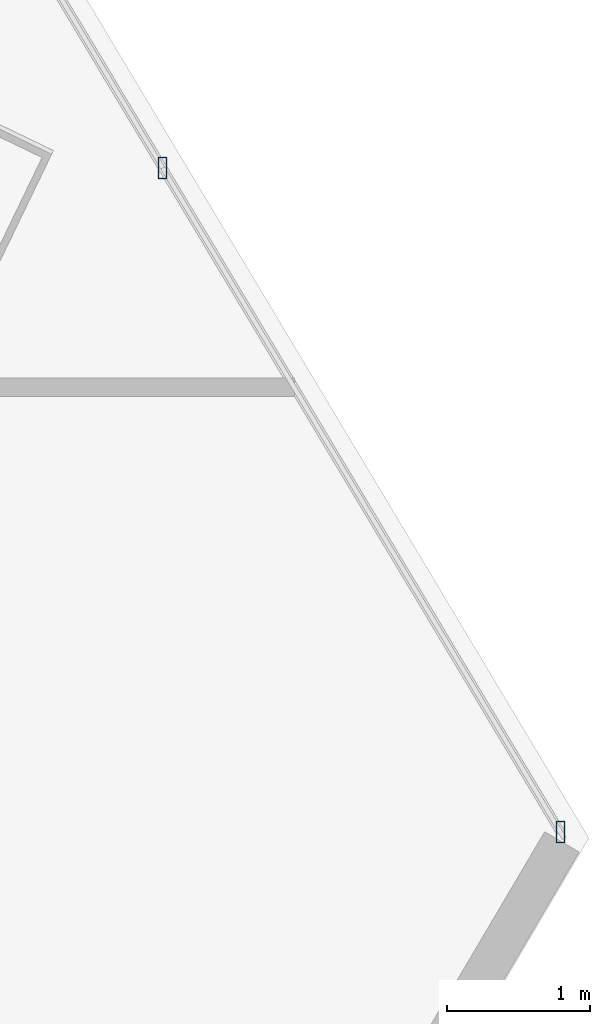
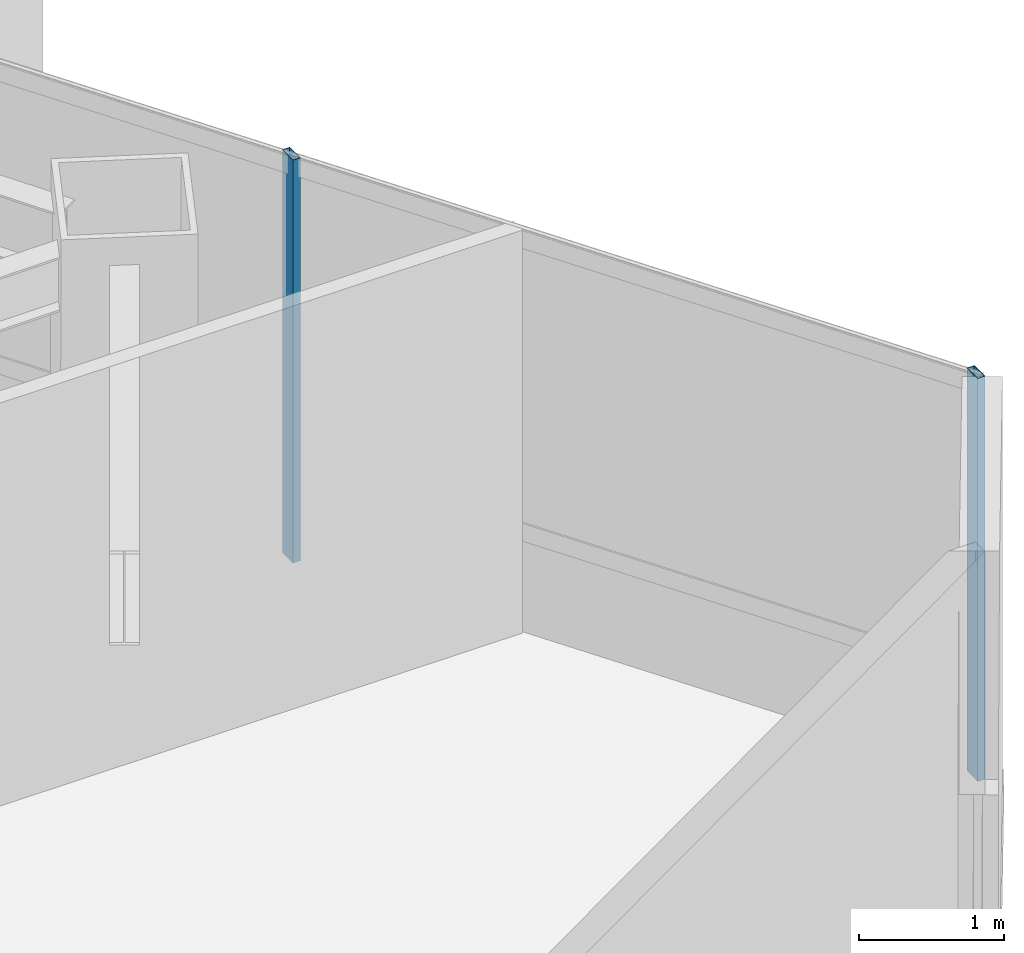
# One storey, part 21 of 41: 2 members, 1 element without a shape of its own.
"""IFC4 building model written with IfcOpenShell, lengths in metres."""

from ifc_helpers import new_model, si_unit, direction, frame, origin, origin_2d, place, context, subcontext, project, spatial, hollow_rectangle, extrude, source, transform, mapped, material, material_profile, profile_set, type_object, type_shapes, element, aggregate, save


model = new_model("IFC4")

# Units and contexts
model_context = context("Model", 3, precision=1e-05, world=origin(), true_north=direction((0.0, 1.0)))
body_context = subcontext(model_context, "Body", "Model", "MODEL_VIEW")
ifc_project = project(units=[si_unit("LENGTHUNIT", "METRE"), si_unit("AREAUNIT", "SQUARE_METRE"), si_unit("VOLUMEUNIT", "CUBIC_METRE"), si_unit("PLANEANGLEUNIT", "RADIAN"), si_unit("MASSUNIT", "GRAM", prefix="KILO")], contexts=[model_context])

# Site, building, storey
site_placement = place(None, origin())
site = spatial("IfcSite", under=ifc_project, at=site_placement, CompositionType="ELEMENT")
building_placement = place(site_placement, origin())
building = spatial("IfcBuilding", under=site, at=building_placement, Name="Caelisora Broadcast Tower", CompositionType="ELEMENT")
storey_placement = place(building_placement, frame((0.0, 0.0, 180.39990234375)))
storey = spatial("IfcBuildingStorey", under=building, at=storey_placement, Name="L47", CompositionType="ELEMENT", Elevation=180.39990234375)

# Curtain wall, members
ifc_material_1 = material(Name="Unitised Aluminium and Low-E Glass Curtain Wall", Category="glass")
curtain_wall_type = type_object("IfcCurtainWallType", Name="CW-Z3", PredefinedType="NOTDEFINED", material=ifc_material_1)
curtain_wall_placement = place(storey_placement, origin())
curtain_wall = element("IfcCurtainWall", 1, at=curtain_wall_placement, inside=storey, type_object=curtain_wall_type, Name="L47 curtain wall CW-Z3", PredefinedType="NOTDEFINED")
ifc_material_2 = material(Name="Aluminium 6063-T6 Anodised Terracotta Bronze", Category="aluminium")
ifc_material_profile = material_profile(ifc_material_2, hollow_rectangle(XDim=0.06005859375, YDim=0.14990234375, WallThickness=0.00341796875, at=origin_2d()), Name="Aluminium 6063-T6 Anodised Terracotta Bronze")
ifc_profile_set = profile_set([ifc_material_profile], Name="Aluminium 6063-T6 Anodised Terracotta Bronze")
member_type = type_object("IfcMemberType", Name="CWM-03", PredefinedType="MULLION", material=ifc_profile_set)
shared_shape = source(origin(), body_context, "Body", "SweptSolid", [
    extrude(hollow_rectangle(XDim=0.06005859375, YDim=0.14990234375, WallThickness=0.00341796875, at=origin_2d()), origin(), (0.0, 0.0, 1.0), 3.400146484375),
])
type_shapes(member_type, [shared_shape])
member_1_placement = place(storey_placement, frame((61.74951171875, 17.732421875, 0.0), z_axis=(0.0, 0.0, 1.0), x_axis=(1.0, 0.0, 0.0)))
member_1 = element("IfcMember", 2, at=member_1_placement, type_object=member_type, Name="L47-CW-B03 mullion #2", PredefinedType="MULLION", context=body_context, shape_type="MappedRepresentation", body=[
    mapped(shared_shape, transform((0.0, 0.0, 0.0), scale=1.0)),
])
member_2_placement = place(storey_placement, frame((64.53125, 13.087890625, 0.0), z_axis=(0.0, 0.0, 1.0), x_axis=(1.0, 0.0, 0.0)))
member_2 = element("IfcMember", 3, at=member_2_placement, type_object=member_type, Name="L47-CW-B03 mullion #3", PredefinedType="MULLION", context=body_context, shape_type="MappedRepresentation", body=[
    mapped(shared_shape, transform((0.0, 0.0, 0.0), scale=1.0)),
])
aggregate(curtain_wall, [member_1, member_2])

save(model, "model.ifc")
